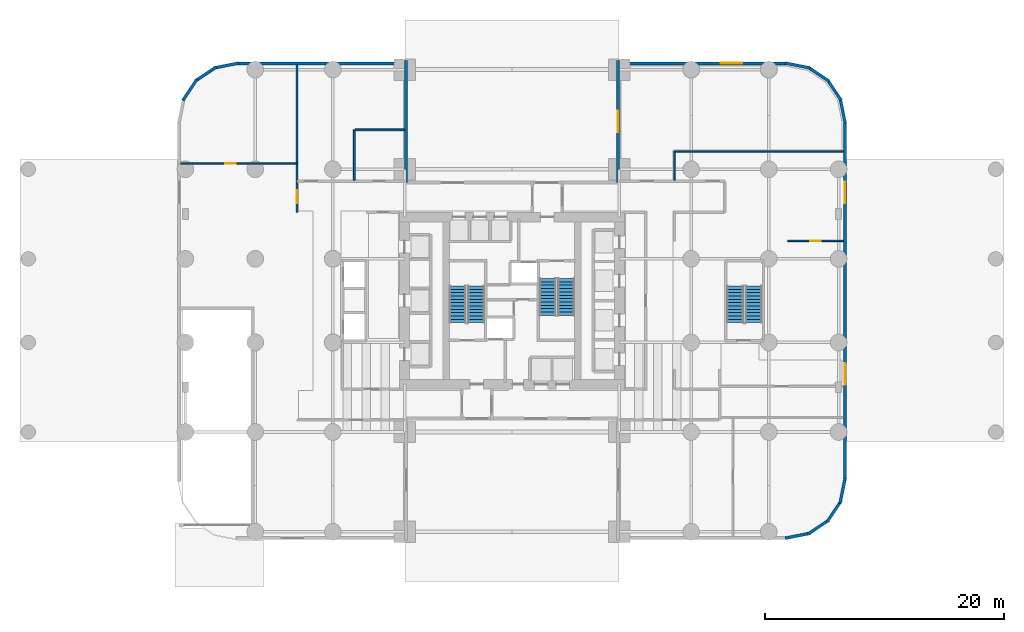
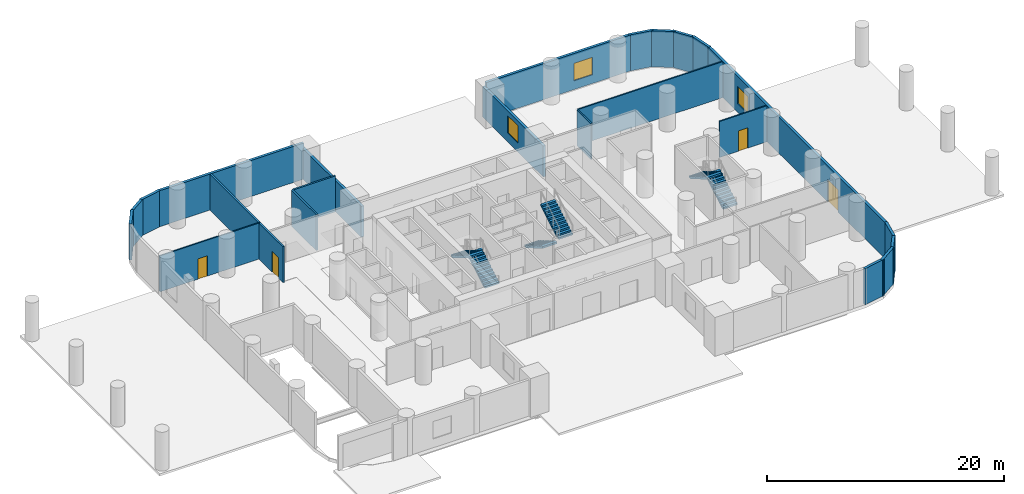
# One storey, part 6 of 10: 23 walls, 6 stair flights, 4 doors, 3 windows, 7 openings, 3 elements without a shape of their own.
"""IFC4 building model written with IfcOpenShell, lengths in metres."""

import ifcopenshell
import ifcopenshell.guid

model = None  # the IFC model being written
_history = None  # IfcOwnerHistory: only IFC2X3 demands one
_inside = {}  # id of a spatial element -> (the spatial element, [elements in it])
_under = {}  # id of a project, library or spatial element -> (it, [spatial elements below it])
_declared = {}  # id of a project -> (the project, [libraries it declares])
_typed = {}  # id of a type object -> (the type object, [elements of that type])
_made_of = {}  # id of a material, layer set ... -> (it, [elements and type objects made of it])


def new_model(schema):
    """Start an empty IFC model of exactly this schema.

    Asked for "IFC4X3", IfcOpenShell would pick the latest addendum, in which some entities
    have other attributes; the version numbers below select the first issue.
    IFC2X3 requires an IfcOwnerHistory on every rooted entity: one is made here for all.
    """
    global model, _history
    if schema == "IFC4X3":
        model = ifcopenshell.file(schema_version=(4, 3, 0, 0))
    else:
        model = ifcopenshell.file(schema=schema)
    _inside.clear()
    _under.clear()
    _declared.clear()
    _typed.clear()
    _made_of.clear()
    _history = None
    if model.schema == "IFC2X3":
        org = make("IfcOrganization", Name="unknown")
        user = make(
            "IfcPersonAndOrganization",
            ThePerson=make("IfcPerson", FamilyName="unknown"),
            TheOrganization=org,
        )
        app = make(
            "IfcApplication",
            ApplicationDeveloper=org,
            Version="unknown",
            ApplicationFullName="unknown",
            ApplicationIdentifier="unknown",
        )
        _history = make(
            "IfcOwnerHistory",
            OwningUser=user,
            OwningApplication=app,
            ChangeAction="ADDED",
            CreationDate=0,
        )
    return model


def make(cls, **values):
    """One entity of the class cls with the attributes given. An attribute that is None is left unset."""
    return model.create_entity(
        cls, **{name: value for name, value in values.items() if value is not None}
    )


def rooted(cls, **values):
    """An entity with a GlobalId (a new one), such as an element, a storey or a relation."""
    return make(cls, GlobalId=ifcopenshell.guid.new(), OwnerHistory=_history, **values)


def si_unit(unit_type, name, prefix=None):
    """IfcSIUnit, for example si_unit("LENGTHUNIT", "METRE", prefix="MILLI")."""
    return make("IfcSIUnit", UnitType=unit_type, Prefix=prefix, Name=name)


def assignment(units):
    """IfcUnitAssignment: the units of a project."""
    return None if units is None else make("IfcUnitAssignment", Units=units)


def point(xyz):
    """IfcCartesianPoint."""
    return None if xyz is None else make("IfcCartesianPoint", Coordinates=xyz)


def direction(xyz):
    """IfcDirection."""
    return None if xyz is None else make("IfcDirection", DirectionRatios=xyz)


def frame(location, z_axis=None, x_axis=None):
    """IfcAxis2Placement3D, a coordinate frame: its origin and axes. An axis left out is left unset."""
    return make(
        "IfcAxis2Placement3D",
        Location=point(location),
        Axis=direction(z_axis),
        RefDirection=direction(x_axis),
    )


def frame_2d(location, x_axis=None):
    """IfcAxis2Placement2D, a coordinate frame in the plane: its origin and x axis."""
    return make(
        "IfcAxis2Placement2D", Location=point(location), RefDirection=direction(x_axis)
    )


def origin():
    """The frame at (0, 0, 0) with its axes left unset."""
    return frame((0.0, 0.0, 0.0))


def place(relative_to, where):
    """IfcLocalPlacement: puts the frame where relative to a parent placement (None: the world)."""
    return make(
        "IfcLocalPlacement", PlacementRelTo=relative_to, RelativePlacement=where
    )


def context(
    kind, dimensions, precision=None, world=None, true_north=None, identifier=None
):
    """IfcGeometricRepresentationContext, for example the 3D "Model" context."""
    return make(
        "IfcGeometricRepresentationContext",
        ContextIdentifier=identifier,
        ContextType=kind,
        CoordinateSpaceDimension=dimensions,
        Precision=precision,
        WorldCoordinateSystem=world,
        TrueNorth=true_north,
    )


def subcontext(parent, identifier, kind, view, scale=None):
    """IfcGeometricRepresentationSubContext, for example "Body" below "Model"."""
    return make(
        "IfcGeometricRepresentationSubContext",
        ContextIdentifier=identifier,
        ContextType=kind,
        ParentContext=parent,
        TargetScale=scale,
        TargetView=view,
    )


def project(units=None, contexts=None):
    """IfcProject with its units and contexts."""
    return rooted(
        "IfcProject",
        Name="project",
        RepresentationContexts=contexts,
        UnitsInContext=assignment(units),
    )


def spatial(cls, under=None, at=None, **own):
    """A site, building, storey or space (cls), placed at a placement, below another one or the project."""
    s = rooted(cls, ObjectPlacement=at, **own)
    if under is not None:
        _under.setdefault(under.id(), (under, []))[1].append(s)
    return s


def polyline(points):
    """IfcPolyline through the points."""
    return make("IfcPolyline", Points=[point(p) for p in points])


def profile(cls, at=None, kind="AREA", **sizes):
    """A parametric profile (cls). Its sizes go by their IFC names, for example OverallWidth=200.0."""
    return make(cls, ProfileType=kind, Position=at, **sizes)


def rectangle(**sizes):
    """IfcRectangleProfileDef."""
    return profile("IfcRectangleProfileDef", **sizes)


def outline(outer, holes=None, kind="AREA"):
    """IfcArbitraryClosedProfileDef: a profile drawn as a closed curve; with holes, ...WithVoids."""
    if holes is None:
        return make("IfcArbitraryClosedProfileDef", ProfileType=kind, OuterCurve=outer)
    return make(
        "IfcArbitraryProfileDefWithVoids",
        ProfileType=kind,
        OuterCurve=outer,
        InnerCurves=holes,
    )


def extrude(swept, where, along, depth):
    """IfcExtrudedAreaSolid: the profile swept, set in the frame where, extruded along a direction by depth."""
    return make(
        "IfcExtrudedAreaSolid",
        SweptArea=swept,
        Position=where,
        ExtrudedDirection=direction(along),
        Depth=depth,
    )


def shape(context_of_items, identifier, shape_type, items):
    """IfcShapeRepresentation: the items that make up one representation, for example the "Body"."""
    return make(
        "IfcShapeRepresentation",
        ContextOfItems=context_of_items,
        RepresentationIdentifier=identifier,
        RepresentationType=shape_type,
        Items=items,
    )


def material(Name=None, Category=None):
    """IfcMaterial."""
    return make("IfcMaterial", Name=Name, Category=Category)


def layer(
    of_material, thickness, ventilated=None, Name=None, Category=None, Priority=None
):
    """IfcMaterialLayer: one layer of a wall or slab, of a material (None: an air gap)."""
    return make(
        "IfcMaterialLayer",
        Material=of_material,
        LayerThickness=thickness,
        IsVentilated=ventilated,
        Name=Name,
        Category=Category,
        Priority=Priority,
    )


def layer_set(layers, Name=None):
    """IfcMaterialLayerSet."""
    return make("IfcMaterialLayerSet", MaterialLayers=layers, LayerSetName=Name)


def made_of(thing, what):
    """Note that an element or type object is made of a material, layer set ...; save() writes the relation."""
    if what is not None:
        _made_of.setdefault(what.id(), (what, []))[1].append(thing)
    return thing


def type_object(cls, material=None, **own):
    """A type object (cls), such as IfcWallType, which elements share."""
    return made_of(rooted(cls, **own), material)


def element(
    cls,
    number,
    at=None,
    inside=None,
    cuts=None,
    type_object=None,
    material=None,
    context=None,
    identifier="Body",
    shape_type=None,
    held_by="IfcProductDefinitionShape",
    body=None,
    shapes=None,
    **own,
):
    """One element of the class cls, such as IfcWall. Its Tag is "e" and its number.

    at: its placement. inside: the storey or other place that contains it. cuts: it is an
    opening in that element (IfcRelVoidsElement). A single representation is given by context,
    identifier, shape_type and body (its items); several are given by shapes. held_by: the class
    of the entity that holds the representations. save() writes the other relations.
    """
    e = rooted(cls, Tag="e%d" % number, ObjectPlacement=at, **own)
    if body is not None:
        shapes = [shape(context, identifier, shape_type, body)]
    if shapes is not None:
        e.Representation = make(held_by, Representations=shapes)
    if inside is not None:
        _inside.setdefault(inside.id(), (inside, []))[1].append(e)
    if cuts is not None:
        rooted(
            "IfcRelVoidsElement", RelatingBuildingElement=cuts, RelatedOpeningElement=e
        )
    if type_object is not None:
        _typed.setdefault(type_object.id(), (type_object, []))[1].append(e)
    return made_of(e, material)


def fill(opening, filler):
    """IfcRelFillsElement: the door or window that sits in an opening."""
    return rooted(
        "IfcRelFillsElement",
        RelatingOpeningElement=opening,
        RelatedBuildingElement=filler,
    )


def aggregate(whole, parts):
    """IfcRelAggregates: a whole, such as a stair, and the parts it consists of."""
    return rooted("IfcRelAggregates", RelatingObject=whole, RelatedObjects=parts)


def save(model, path):
    """Write the relations noted so far, then the file.

    IfcRelAggregates (storeys below a building ...), IfcRelContainedInSpatialStructure (elements
    in a storey), IfcRelDefinesByType, IfcRelAssociatesMaterial and IfcRelDeclares: one each for
    every whole, place, type object, material and project.
    """
    for whole, parts in _under.values():
        aggregate(whole, parts)
    for where, things in _inside.values():
        rooted(
            "IfcRelContainedInSpatialStructure",
            RelatedElements=things,
            RelatingStructure=where,
        )
    for kind, things in _typed.values():
        rooted("IfcRelDefinesByType", RelatedObjects=things, RelatingType=kind)
    for what, things in _made_of.values():
        rooted("IfcRelAssociatesMaterial", RelatedObjects=things, RelatingMaterial=what)
    for by, libraries in _declared.values():
        rooted("IfcRelDeclares", RelatingContext=by, RelatedDefinitions=libraries)
    model.write(path)


model = new_model("IFC4")

# Units and contexts
model_context = context("Model", 3, precision=1e-05, world=origin(), true_north=direction((0.0, 1.0)))
body_context = subcontext(model_context, "Body", "Model", "MODEL_VIEW")
ifc_project = project(units=[si_unit("LENGTHUNIT", "METRE"), si_unit("AREAUNIT", "SQUARE_METRE"), si_unit("VOLUMEUNIT", "CUBIC_METRE"), si_unit("PLANEANGLEUNIT", "RADIAN"), si_unit("MASSUNIT", "GRAM", prefix="KILO")], contexts=[model_context])

# Site, building, storey
site_placement = place(None, origin())
site = spatial("IfcSite", under=ifc_project, at=site_placement, CompositionType="ELEMENT")
building_placement = place(site_placement, origin())
building = spatial("IfcBuilding", under=site, at=building_placement, Name="Veldorim Arch Residences", CompositionType="ELEMENT")
storey_placement = place(building_placement, origin())
storey = spatial("IfcBuildingStorey", under=building, at=storey_placement, Name="L00", CompositionType="ELEMENT", Elevation=0.0)

# Wall, opening, door
ifc_material_1 = material(Name="Acoustic Gypsum Board", Category="gypsum")
ifc_layer_1 = layer(ifc_material_1, 0.125, Name="Acoustic Stud Room Partition Wall 125")
ifc_layer_set_1 = layer_set([ifc_layer_1], Name="Acoustic Gypsum Board")
wall_type_1 = type_object("IfcWallType", Name="Acoustic Stud Room Partition Wall 125", PredefinedType="PARTITIONING", material=ifc_layer_set_1)
wall_1_placement = place(storey_placement, frame((4.25, 35.5, 0.0), z_axis=(0.0, 0.0, 1.0), x_axis=(1.0, 0.0, 0.0)))
wall_1 = element("IfcWall", 1, at=wall_1_placement, inside=storey, type_object=wall_type_1, Name="L00 interior wall WL-POD-L00-025", PredefinedType="PARTITIONING", context=body_context, shape_type="SweptSolid", body=[
    extrude(rectangle(XDim=9.75, YDim=0.125, at=frame_2d((4.875, 0.0))), origin(), (0.0, 0.0, 1.0), 3.715087890625),
])
opening_1_placement = place(wall_1_placement, frame((3.72509765625, 0.0, 0.0)))
opening_1 = element("IfcOpeningElement", 2, at=opening_1_placement, cuts=wall_1, Name="Opening DR-SVC", PredefinedType="OPENING", context=body_context, shape_type="SweptSolid", body=[
    extrude(rectangle(XDim=0.89990234375, YDim=2.10009765625, at=frame_2d((0.449951171875, 1.050048828125))), frame((0.0, 0.072509765625, 0.0), z_axis=(0.0, -1.0, 0.0), x_axis=(1.0, 0.0, 0.0)), (0.0, 0.0, 1.0), 0.14501953125),
])
ifc_material_2 = material(Name="Fire-Rated Steel", Category="steel")
door_type_1 = type_object("IfcDoorType", Name="Riser, Shelter & Plant Room Rated Steel Door 900x2100", OperationType="SINGLE_SWING_LEFT", PredefinedType="DOOR", material=ifc_material_2)
door_1_placement = place(opening_1_placement, origin())
door_1 = element("IfcDoor", 3, at=door_1_placement, inside=storey, type_object=door_type_1, Name="L00 interior door DR-POD-L00-005", OperationType="SINGLE_SWING_LEFT", OverallHeight=2.10009765625, OverallWidth=0.89990234375, PredefinedType="DOOR", context=body_context, shape_type="SweptSolid", body=[
    extrude(rectangle(XDim=0.89990234375, YDim=2.10009765625, at=frame_2d((0.449951171875, 1.050048828125))), frame((0.0, 0.02490234375, 0.0), z_axis=(0.0, -1.0, 0.0), x_axis=(1.0, 0.0, 0.0)), (0.0, 0.0, 1.0), 0.050048828125),
])
fill(opening_1, door_1)

wall_2_placement = place(storey_placement, frame((55.10009765625, 29.0, 0.0), z_axis=(0.0, 0.0, 1.0), x_axis=(1.0, 0.0, 0.0)))
wall_2 = element("IfcWall", 4, at=wall_2_placement, inside=storey, type_object=wall_type_1, Name="L00 interior wall WL-POD-L00-030", PredefinedType="PARTITIONING", context=body_context, shape_type="SweptSolid", body=[
    extrude(rectangle(XDim=4.64990234375, YDim=0.125, at=frame_2d((2.324951171875, 0.0))), origin(), (0.0, 0.0, 1.0), 3.715087890625),
])
opening_2_placement = place(wall_2_placement, frame((1.875, 0.0, 0.0)))
opening_2 = element("IfcOpeningElement", 5, at=opening_2_placement, cuts=wall_2, Name="Opening DR-SVC", PredefinedType="OPENING", context=body_context, shape_type="SweptSolid", body=[
    extrude(rectangle(XDim=0.89990234375, YDim=2.10009765625, at=frame_2d((0.449951171875, 1.050048828125))), frame((0.0, 0.072509765625, 0.0), z_axis=(0.0, -1.0, 0.0), x_axis=(1.0, 0.0, 0.0)), (0.0, 0.0, 1.0), 0.14501953125),
])
door_2_placement = place(opening_2_placement, origin())
door_2 = element("IfcDoor", 6, at=door_2_placement, inside=storey, type_object=door_type_1, Name="L00 interior door DR-POD-L00-012", OperationType="SINGLE_SWING_RIGHT", OverallHeight=2.10009765625, OverallWidth=0.89990234375, PredefinedType="DOOR", context=body_context, shape_type="SweptSolid", body=[
    extrude(rectangle(XDim=0.89990234375, YDim=2.10009765625, at=frame_2d((0.449951171875, 1.050048828125))), frame((0.0, 0.02490234375, 0.0), z_axis=(0.0, -1.0, 0.0), x_axis=(1.0, 0.0, 0.0)), (0.0, 0.0, 1.0), 0.050048828125),
])
fill(opening_2, door_2)

# Walls
wall_3_placement = place(storey_placement, frame((45.60009765625, 34.10009765625, 0.0), z_axis=(0.0, 0.0, 1.0), x_axis=(0.0, 1.0, 0.0)))
element("IfcWall", 7, at=wall_3_placement, inside=storey, type_object=wall_type_1, Name="L00 interior wall WL-POD-L00-031", PredefinedType="PARTITIONING", context=body_context, shape_type="SweptSolid", body=[
    extrude(rectangle(XDim=2.39990234375, YDim=0.125, at=frame_2d((1.199951171875, 0.0))), origin(), (0.0, 0.0, 1.0), 3.715087890625),
])
wall_4_placement = place(storey_placement, frame((45.659912109375, 36.5, 0.0), z_axis=(0.0, 0.0, 1.0), x_axis=(1.0, 0.0, 0.0)))
element("IfcWall", 8, at=wall_4_placement, inside=storey, type_object=wall_type_1, Name="L00 interior wall WL-POD-L00-032", PredefinedType="PARTITIONING", context=body_context, shape_type="SweptSolid", body=[
    extrude(rectangle(XDim=14.090087890625, YDim=0.125, at=frame_2d((7.044921875, 0.0))), origin(), (0.0, 0.0, 1.0), 3.715087890625),
])

# Wall, opening, door
ifc_material_3 = material(Name="Lightweight Masonry Block & Gypsum", Category="masonry")
ifc_layer_2 = layer(ifc_material_3, 0.179931640625, Name="Compartment & Corridor Fire-Rated Party Wall 180")
ifc_layer_set_2 = layer_set([ifc_layer_2], Name="Lightweight Masonry Block & Gypsum")
wall_type_2 = type_object("IfcWallType", Name="Compartment & Corridor Fire-Rated Party Wall 180", PredefinedType="PARTITIONING", material=ifc_layer_set_2)
wall_5_placement = place(storey_placement, frame((14.0, 31.39990234375, 0.0), z_axis=(0.0, 0.0, 1.0), x_axis=(0.0, 1.0, 0.0)))
wall_5 = element("IfcWall", 9, at=wall_5_placement, inside=storey, type_object=wall_type_2, Name="L00 interior wall WL-POD-L00-023", PredefinedType="PARTITIONING", context=body_context, shape_type="SweptSolid", body=[
    extrude(rectangle(XDim=12.35009765625, YDim=0.179931640625, at=frame_2d((6.175048828125, 0.0))), origin(), (0.0, 0.0, 1.0), 3.715087890625),
])
opening_3_placement = place(wall_5_placement, frame((0.77490234375, 0.0, 0.0)))
opening_3 = element("IfcOpeningElement", 10, at=opening_3_placement, cuts=wall_5, Name="Opening DR-CLN", PredefinedType="OPENING", context=body_context, shape_type="SweptSolid", body=[
    extrude(rectangle(XDim=1.050048828125, YDim=2.14990234375, at=frame_2d((0.52490234375, 1.074951171875))), frame((0.0, 0.099853515625, 0.0), z_axis=(0.0, -1.0, 0.0), x_axis=(1.0, 0.0, 0.0)), (0.0, 0.0, 1.0), 0.199951171875),
])
ifc_material_4 = material(Name="Timber & Vision Panel", Category="wood")
door_type_2 = type_object("IfcDoorType", Name="Polyclinic Wheelchair-Accessible Consultation Door 1050x2150", OperationType="SINGLE_SWING_LEFT", PredefinedType="DOOR", material=ifc_material_4)
door_3_placement = place(opening_3_placement, origin())
door_3 = element("IfcDoor", 11, at=door_3_placement, inside=storey, type_object=door_type_2, Name="L00 interior door DR-POD-L00-004", OperationType="SINGLE_SWING_RIGHT", OverallHeight=2.14990234375, OverallWidth=1.050048828125, PredefinedType="DOOR", context=body_context, shape_type="SweptSolid", body=[
    extrude(rectangle(XDim=1.050048828125, YDim=2.14990234375, at=frame_2d((0.52490234375, 1.074951171875))), frame((0.0, 0.02490234375, 0.0), z_axis=(0.0, -1.0, 0.0), x_axis=(1.0, 0.0, 0.0)), (0.0, 0.0, 1.0), 0.050048828125),
])
fill(opening_3, door_3)

# Walls
ifc_material_5 = material(Name="Precast concrete C40/50", Category="concrete")
ifc_layer_3 = layer(ifc_material_5, 0.25, Name="Podium Terracotta Insulated Facade Wall 250")
ifc_layer_set_3 = layer_set([ifc_layer_3], Name="Precast concrete C40/50")
wall_type_3 = type_object("IfcWallType", Name="Podium Terracotta Insulated Facade Wall 250", PredefinedType="SOLIDWALL", material=ifc_layer_set_3)
wall_6_placement = place(storey_placement, frame((54.87744140625, 43.89697265625, 0.0), z_axis=(0.0, 0.0, 1.0), x_axis=(0.980780974951, -0.195111965738, 0.0)))
element("IfcWall", 12, at=wall_6_placement, inside=storey, type_object=wall_type_3, Name="L00 podium terracotta facade wall 00", PredefinedType="SOLIDWALL", context=body_context, shape_type="SweptSolid", body=[
    extrude(rectangle(XDim=2.15087890625, YDim=0.25, at=frame_2d((1.075439453125, 0.0))), origin(), (0.0, 0.0, 1.0), 3.719970703125),
])
for number, where, z_axis, x_axis, name in (
    (13, (56.7607421875, 43.571044921875, 0.0), (0.0, 0.0, 1.0), (0.831473633615, -0.555564214653, 0.0), "L00 podium terracotta facade wall 01"),
    (14, (58.3759765625, 42.54931640625, 0.0), (0.0, 0.0, 1.0), (0.555564214653, -0.831473633615, 0.0), "L00 podium terracotta facade wall 02"),
):
    element("IfcWall", number, at=place(storey_placement, frame(where, z_axis=z_axis, x_axis=x_axis)), inside=storey, type_object=wall_type_3, Name=name, PredefinedType="SOLIDWALL", context=body_context, shape_type="SweptSolid", body=[
        extrude(rectangle(XDim=2.151123046875, YDim=0.25, at=frame_2d((1.07568359375, 0.0))), origin(), (0.0, 0.0, 1.0), 3.719970703125),
    ])
wall_7_placement = place(storey_placement, frame((59.477294921875, 40.987060546875, 0.0), z_axis=(0.0, 0.0, 1.0), x_axis=(0.195111965738, -0.980780974951, 0.0)))
element("IfcWall", 15, at=wall_7_placement, inside=storey, type_object=wall_type_3, Name="L00 podium terracotta facade wall 03", PredefinedType="SOLIDWALL", context=body_context, shape_type="SweptSolid", body=[
    extrude(rectangle(XDim=2.15087890625, YDim=0.25, at=frame_2d((1.075439453125, 0.0))), origin(), (0.0, 0.0, 1.0), 3.719970703125),
])

# Wall, openings, door, window
wall_8_placement = place(storey_placement, frame((59.875, 39.10009765625, 0.0), z_axis=(0.0, 0.0, 1.0), x_axis=(0.0, -1.0, 0.0)))
wall_8 = element("IfcWall", 16, at=wall_8_placement, inside=storey, type_object=wall_type_3, Name="L00 podium terracotta facade wall 04", PredefinedType="SOLIDWALL", context=body_context, shape_type="SweptSolid", body=[
    extrude(rectangle(XDim=30.2001953125, YDim=0.25, at=frame_2d((15.10009765625, 0.0))), origin(), (0.0, 0.0, 1.0), 3.719970703125),
])
opening_4_placement = place(wall_8_placement, frame((20.35009765625, 0.0, 0.0)))
opening_4 = element("IfcOpeningElement", 17, at=opening_4_placement, cuts=wall_8, Name="Opening EX-06", PredefinedType="OPENING", context=body_context, shape_type="SweptSolid", body=[
    extrude(rectangle(XDim=1.800048828125, YDim=2.300048828125, at=frame_2d((0.89990234375, 1.14990234375))), frame((0.0, 0.135009765625, 0.0), z_axis=(0.0, -1.0, 0.0), x_axis=(1.0, 0.0, 0.0)), (0.0, 0.0, 1.0), 0.27001953125),
])
opening_5_placement = place(wall_8_placement, frame((5.139892578125, 0.0, 0.89990234375)))
opening_5 = element("IfcOpeningElement", 18, at=opening_5_placement, cuts=wall_8, Name="Opening WN-01", PredefinedType="OPENING", context=body_context, shape_type="SweptSolid", body=[
    extrude(rectangle(XDim=1.800048828125, YDim=1.800048828125, at=frame_2d((0.89990234375, 0.89990234375))), frame((0.0, 0.135009765625, 0.0), z_axis=(0.0, -1.0, 0.0), x_axis=(1.0, 0.0, 0.0)), (0.0, 0.0, 1.0), 0.27001953125),
])
ifc_material_6 = material(Name="Aluminium & Toughened Glass", Category="aluminium")
door_type_3 = type_object("IfcDoorType", Name="Ground Outward Double Exit Door 1800x2300", OperationType="SINGLE_SWING_LEFT", PredefinedType="DOOR", material=ifc_material_6)
door_4_placement = place(opening_4_placement, origin())
door_4 = element("IfcDoor", 19, at=door_4_placement, inside=storey, type_object=door_type_3, Name="Ground east stair discharge exit door EX-06", OperationType="DOUBLE_DOOR_SINGLE_SWING", OverallHeight=2.300048828125, OverallWidth=1.800048828125, PredefinedType="DOOR", context=body_context, shape_type="SweptSolid", body=[
    extrude(rectangle(XDim=1.800048828125, YDim=2.300048828125, at=frame_2d((0.89990234375, 1.14990234375))), frame((0.0, 0.02490234375, 0.0), z_axis=(0.0, -1.0, 0.0), x_axis=(1.0, 0.0, 0.0)), (0.0, 0.0, 1.0), 0.050048828125),
])
fill(opening_4, door_4)
ifc_material_7 = material(Name="Laminated Low-E Glass", Category="glass")
window_type = type_object("IfcWindowType", Name="Polyclinic Double-Glazed Window 1800x1800", PartitioningType="SINGLE_PANEL", PredefinedType="WINDOW", material=ifc_material_7)
window_1_placement = place(opening_5_placement, origin())
window_1 = element("IfcWindow", 20, at=window_1_placement, inside=storey, type_object=window_type, Name="L00 outpatient clinic window 04-1", OverallHeight=1.800048828125, OverallWidth=1.800048828125, PartitioningType="SINGLE_PANEL", PredefinedType="WINDOW", context=body_context, shape_type="SweptSolid", body=[
    extrude(rectangle(XDim=1.800048828125, YDim=1.800048828125, at=frame_2d((0.89990234375, 0.89990234375))), frame((0.0, 0.030029296875, 0.0), z_axis=(0.0, -1.0, 0.0), x_axis=(1.0, 0.0, 0.0)), (0.0, 0.0, 1.0), 0.06005859375),
])
fill(opening_5, window_1)

# Walls
wall_9_placement = place(storey_placement, frame((59.89697265625, 9.12255859375, 0.0), z_axis=(0.0, 0.0, 1.0), x_axis=(-0.195111965738, -0.980780974951, 0.0)))
element("IfcWall", 21, at=wall_9_placement, inside=storey, type_object=wall_type_3, Name="L00 podium terracotta facade wall 05", PredefinedType="SOLIDWALL", context=body_context, shape_type="SweptSolid", body=[
    extrude(rectangle(XDim=2.15087890625, YDim=0.25, at=frame_2d((1.075439453125, 0.0))), origin(), (0.0, 0.0, 1.0), 3.719970703125),
])
for number, where, z_axis, x_axis, name in (
    (22, (59.571044921875, 7.2392578125, 0.0), (0.0, 0.0, 1.0), (-0.555564214653, -0.831473633615, 0.0), "L00 podium terracotta facade wall 06"),
    (23, (58.54931640625, 5.6240234375, 0.0), (0.0, 0.0, 1.0), (-0.831473633615, -0.555564214653, 0.0), "L00 podium terracotta facade wall 07"),
):
    element("IfcWall", number, at=place(storey_placement, frame(where, z_axis=z_axis, x_axis=x_axis)), inside=storey, type_object=wall_type_3, Name=name, PredefinedType="SOLIDWALL", context=body_context, shape_type="SweptSolid", body=[
        extrude(rectangle(XDim=2.151123046875, YDim=0.25, at=frame_2d((1.07568359375, 0.0))), origin(), (0.0, 0.0, 1.0), 3.719970703125),
    ])
wall_10_placement = place(storey_placement, frame((56.987060546875, 4.522705078125, 0.0), z_axis=(0.0, 0.0, 1.0), x_axis=(-0.980780974951, -0.195111965738, 0.0)))
element("IfcWall", 24, at=wall_10_placement, inside=storey, type_object=wall_type_3, Name="L00 podium terracotta facade wall 08", PredefinedType="SOLIDWALL", context=body_context, shape_type="SweptSolid", body=[
    extrude(rectangle(XDim=2.15087890625, YDim=0.25, at=frame_2d((1.075439453125, 0.0))), origin(), (0.0, 0.0, 1.0), 3.719970703125),
])
for number, where, z_axis, x_axis, name in (
    (25, (4.428955078125, 40.7607421875, 0.0), (0.0, 0.0, 1.0), (0.555564214653, 0.831473633615, 0.0), "L00 podium terracotta facade wall 20"),
    (26, (5.45068359375, 42.3759765625, 0.0), (0.0, 0.0, 1.0), (0.831473633615, 0.555564214653, 0.0), "L00 podium terracotta facade wall 21"),
):
    element("IfcWall", number, at=place(storey_placement, frame(where, z_axis=z_axis, x_axis=x_axis)), inside=storey, type_object=wall_type_3, Name=name, PredefinedType="SOLIDWALL", context=body_context, shape_type="SweptSolid", body=[
        extrude(rectangle(XDim=2.151123046875, YDim=0.25, at=frame_2d((1.07568359375, 0.0))), origin(), (0.0, 0.0, 1.0), 3.719970703125),
    ])
wall_11_placement = place(storey_placement, frame((7.012939453125, 43.477294921875, 0.0), z_axis=(0.0, 0.0, 1.0), x_axis=(0.980780974951, 0.195111965738, 0.0)))
element("IfcWall", 27, at=wall_11_placement, inside=storey, type_object=wall_type_3, Name="L00 podium terracotta facade wall 22", PredefinedType="SOLIDWALL", context=body_context, shape_type="SweptSolid", body=[
    extrude(rectangle(XDim=2.15087890625, YDim=0.25, at=frame_2d((1.075439453125, 0.0))), origin(), (0.0, 0.0, 1.0), 3.719970703125),
])
wall_12_placement = place(storey_placement, frame((8.89990234375, 43.875, 0.0), z_axis=(0.0, 0.0, 1.0), x_axis=(1.0, 0.0, 0.0)))
element("IfcWall", 28, at=wall_12_placement, inside=storey, type_object=wall_type_3, Name="L00 podium terracotta facade wall 23", PredefinedType="SOLIDWALL", context=body_context, shape_type="SweptSolid", body=[
    extrude(rectangle(XDim=14.2001953125, YDim=0.25, at=frame_2d((7.10009765625, 0.0))), origin(), (0.0, 0.0, 1.0), 3.719970703125),
])
wall_13_placement = place(storey_placement, frame((23.125, 33.89990234375, 0.0), z_axis=(0.0, 0.0, 1.0), x_axis=(0.0, 1.0, 0.0)))
element("IfcWall", 29, at=wall_13_placement, inside=storey, type_object=wall_type_3, Name="L00 podium terracotta facade wall 24", PredefinedType="SOLIDWALL", context=body_context, shape_type="SweptSolid", body=[
    extrude(rectangle(XDim=10.2001953125, YDim=0.25, at=frame_2d((5.10009765625, 0.0))), origin(), (0.0, 0.0, 1.0), 3.178466796875),
])

# Wall, opening, window
wall_14_placement = place(storey_placement, frame((40.875, 44.10009765625, 0.0), z_axis=(0.0, 0.0, 1.0), x_axis=(0.0, -1.0, 0.0)))
wall_14 = element("IfcWall", 30, at=wall_14_placement, inside=storey, type_object=wall_type_3, Name="L00 podium terracotta facade wall 26", PredefinedType="SOLIDWALL", context=body_context, shape_type="SweptSolid", body=[
    extrude(rectangle(XDim=10.2001953125, YDim=0.25, at=frame_2d((5.10009765625, 0.0))), origin(), (0.0, 0.0, 1.0), 3.178466796875),
])
opening_6_placement = place(wall_14_placement, frame((4.199951171875, 0.0, 0.89990234375)))
opening_6 = element("IfcOpeningElement", 31, at=opening_6_placement, cuts=wall_14, Name="Opening WN-01", PredefinedType="OPENING", context=body_context, shape_type="SweptSolid", body=[
    extrude(rectangle(XDim=1.800048828125, YDim=1.800048828125, at=frame_2d((0.89990234375, 0.89990234375))), frame((0.0, 0.135009765625, 0.0), z_axis=(0.0, -1.0, 0.0), x_axis=(1.0, 0.0, 0.0)), (0.0, 0.0, 1.0), 0.27001953125),
])
window_2_placement = place(opening_6_placement, origin())
window_2 = element("IfcWindow", 32, at=window_2_placement, inside=storey, type_object=window_type, Name="L00 outpatient clinic window 26-1", OverallHeight=1.800048828125, OverallWidth=1.800048828125, PartitioningType="SINGLE_PANEL", PredefinedType="WINDOW", context=body_context, shape_type="SweptSolid", body=[
    extrude(rectangle(XDim=1.800048828125, YDim=1.800048828125, at=frame_2d((0.89990234375, 0.89990234375))), frame((0.0, 0.030029296875, 0.0), z_axis=(0.0, -1.0, 0.0), x_axis=(1.0, 0.0, 0.0)), (0.0, 0.0, 1.0), 0.06005859375),
])
fill(opening_6, window_2)

wall_15_placement = place(storey_placement, frame((40.89990234375, 43.875, 0.0), z_axis=(0.0, 0.0, 1.0), x_axis=(1.0, 0.0, 0.0)))
wall_15 = element("IfcWall", 33, at=wall_15_placement, inside=storey, type_object=wall_type_3, Name="L00 podium terracotta facade wall 27", PredefinedType="SOLIDWALL", context=body_context, shape_type="SweptSolid", body=[
    extrude(rectangle(XDim=14.2001953125, YDim=0.25, at=frame_2d((7.10009765625, 0.0))), origin(), (0.0, 0.0, 1.0), 3.719970703125),
])
opening_7_placement = place(wall_15_placement, frame((8.56689453125, 0.0, 0.89990234375)))
opening_7 = element("IfcOpeningElement", 34, at=opening_7_placement, cuts=wall_15, Name="Opening WN-01", PredefinedType="OPENING", context=body_context, shape_type="SweptSolid", body=[
    extrude(rectangle(XDim=1.800048828125, YDim=1.800048828125, at=frame_2d((0.89990234375, 0.89990234375))), frame((0.0, 0.135009765625, 0.0), z_axis=(0.0, -1.0, 0.0), x_axis=(1.0, 0.0, 0.0)), (0.0, 0.0, 1.0), 0.27001953125),
])
window_3_placement = place(opening_7_placement, origin())
window_3 = element("IfcWindow", 35, at=window_3_placement, inside=storey, type_object=window_type, Name="L00 outpatient clinic window 27-2", OverallHeight=1.800048828125, OverallWidth=1.800048828125, PartitioningType="SINGLE_PANEL", PredefinedType="WINDOW", context=body_context, shape_type="SweptSolid", body=[
    extrude(rectangle(XDim=1.800048828125, YDim=1.800048828125, at=frame_2d((0.89990234375, 0.89990234375))), frame((0.0, 0.030029296875, 0.0), z_axis=(0.0, -1.0, 0.0), x_axis=(1.0, 0.0, 0.0)), (0.0, 0.0, 1.0), 0.06005859375),
])
fill(opening_7, window_3)

# Walls
ifc_material_8 = material(Name="Moisture-Resistant Gypsum & Stud", Category="gypsum")
ifc_layer_4 = layer(ifc_material_8, 0.159912109375, Name="Wet-Area Moisture-Resistant Plumbing Wall 160")
ifc_layer_set_4 = layer_set([ifc_layer_4], Name="Moisture-Resistant Gypsum & Stud")
wall_type_4 = type_object("IfcWallType", Name="Wet-Area Moisture-Resistant Plumbing Wall 160", PredefinedType="PLUMBINGWALL", material=ifc_layer_set_4)
wall_16_placement = place(storey_placement, frame((18.800048828125, 34.10009765625, 0.0), z_axis=(0.0, 0.0, 1.0), x_axis=(0.0, 1.0, 0.0)))
element("IfcWall", 36, at=wall_16_placement, inside=storey, type_object=wall_type_4, Name="L00 interior wall WL-POD-L00-026", PredefinedType="PLUMBINGWALL", context=body_context, shape_type="SweptSolid", body=[
    extrude(rectangle(XDim=4.199951171875, YDim=0.159912109375, at=frame_2d((2.10009765625, 0.0))), origin(), (0.0, 0.0, 1.0), 3.715087890625),
])
wall_17_placement = place(storey_placement, frame((18.860107421875, 38.300048828125, 0.0), z_axis=(0.0, 0.0, 1.0), x_axis=(1.0, 0.0, 0.0)))
element("IfcWall", 37, at=wall_17_placement, inside=storey, type_object=wall_type_4, Name="L00 interior wall WL-POD-L00-027", PredefinedType="PLUMBINGWALL", context=body_context, shape_type="SweptSolid", body=[
    extrude(rectangle(XDim=4.139892578125, YDim=0.159912109375, at=frame_2d((2.06982421875, 0.0))), origin(), (0.0, 0.0, 1.0), 3.715087890625),
])

# Stair, stair flights
ifc_material_9 = material(Name="Concrete C40/50", Category="concrete")
stair_type = type_object("IfcStairType", Name="Reinforced Concrete Dogleg Exit Staircase", PredefinedType="HALF_TURN_STAIR", material=ifc_material_9)
stair_1_placement = place(storey_placement, origin())
stair_1 = element("IfcStair", 38, at=stair_1_placement, inside=storey, type_object=stair_type, Name="L00 Exit Staircase ST-1", PredefinedType="HALF_TURN_STAIR")
ifc_material_10 = material(Name="Concrete C40/50", Category="concrete")
stair_flight_type = type_object("IfcStairFlightType", Name="Reinforced Concrete Stair Flight 1400", PredefinedType="STRAIGHT", material=ifc_material_10)
stair_flight_1_placement = place(storey_placement, frame((29.010009765625, 22.14990234375, 0.0), z_axis=(0.0, 0.0, 1.0), x_axis=(0.0, 1.0, 0.0)))
stair_flight_1 = element("IfcStairFlight", 39, at=stair_flight_1_placement, type_object=stair_flight_type, Name="ST-1 flight 1", NumberOfRisers=12, NumberOfTreads=11, PredefinedType="STRAIGHT", RiserHeight=0.166666667, TreadLength=0.28, context=body_context, shape_type="SweptSolid", body=[
    extrude(outline(polyline([(0.0, 0.0), (0.0, 0.166748046875), (0.280029296875, 0.166748046875), (0.280029296875, 0.333251953125), (0.56005859375, 0.333251953125), (0.56005859375, 0.5), (0.840087890625, 0.5), (0.840087890625, 0.666748046875), (1.1201171875, 0.666748046875), (1.1201171875, 0.833251953125), (1.39990234375, 0.833251953125), (1.39990234375, 1.0), (1.679931640625, 1.0), (1.679931640625, 1.166748046875), (1.9599609375, 1.166748046875), (1.9599609375, 1.333251953125), (2.239990234375, 1.333251953125), (2.239990234375, 1.5), (2.52001953125, 1.5), (2.52001953125, 1.666748046875), (2.800048828125, 1.666748046875), (2.800048828125, 1.833251953125), (3.080078125, 1.833251953125), (3.080078125, 2.0), (3.080078125, 1.647216796875), (0.312744140625, 0.0), (0.0, 0.0)])), frame((0.0, 0.699951171875, 0.0), z_axis=(0.0, -1.0, 0.0), x_axis=(1.0, 0.0, 0.0)), (0.0, 0.0, 1.0), 1.39990234375),
])
stair_flight_2_placement = place(storey_placement, frame((27.449951171875, 25.22998046875, 2.0), z_axis=(0.0, 0.0, 1.0), x_axis=(0.0, -1.0, 0.0)))
stair_flight_2 = element("IfcStairFlight", 40, at=stair_flight_2_placement, type_object=stair_flight_type, Name="ST-1 flight 2", NumberOfRisers=12, NumberOfTreads=11, PredefinedType="STRAIGHT", RiserHeight=0.166666667, TreadLength=0.28, context=body_context, shape_type="SweptSolid", body=[
    extrude(outline(polyline([(0.0, 0.0), (0.0, 0.166748046875), (0.280029296875, 0.166748046875), (0.280029296875, 0.333251953125), (0.56005859375, 0.333251953125), (0.56005859375, 0.5), (0.840087890625, 0.5), (0.840087890625, 0.666748046875), (1.1201171875, 0.666748046875), (1.1201171875, 0.833251953125), (1.39990234375, 0.833251953125), (1.39990234375, 1.0), (1.679931640625, 1.0), (1.679931640625, 1.166748046875), (1.9599609375, 1.166748046875), (1.9599609375, 1.333251953125), (2.239990234375, 1.333251953125), (2.239990234375, 1.5), (2.52001953125, 1.5), (2.52001953125, 1.666748046875), (2.800048828125, 1.666748046875), (2.800048828125, 1.833251953125), (3.080078125, 1.833251953125), (3.080078125, 2.0), (3.080078125, 1.647216796875), (0.312744140625, 0.0), (0.0, 0.0)])), frame((0.0, 0.699951171875, 0.0), z_axis=(0.0, -1.0, 0.0), x_axis=(1.0, 0.0, 0.0)), (0.0, 0.0, 1.0), 1.39990234375),
])
aggregate(stair_1, [stair_flight_1, stair_flight_2])

stair_2_placement = place(storey_placement, origin())
stair_2 = element("IfcStair", 41, at=stair_2_placement, inside=storey, type_object=stair_type, Name="L00 Exit Staircase ST-2", PredefinedType="HALF_TURN_STAIR")
stair_flight_3_placement = place(storey_placement, frame((34.989990234375, 25.85009765625, 0.0), z_axis=(0.0, 0.0, 1.0), x_axis=(0.0, -1.0, 0.0)))
stair_flight_3 = element("IfcStairFlight", 42, at=stair_flight_3_placement, type_object=stair_flight_type, Name="ST-2 flight 1", NumberOfRisers=12, NumberOfTreads=11, PredefinedType="STRAIGHT", RiserHeight=0.166666667, TreadLength=0.28, context=body_context, shape_type="SweptSolid", body=[
    extrude(outline(polyline([(0.0, 0.0), (0.0, 0.166748046875), (0.280029296875, 0.166748046875), (0.280029296875, 0.333251953125), (0.56005859375, 0.333251953125), (0.56005859375, 0.5), (0.840087890625, 0.5), (0.840087890625, 0.666748046875), (1.1201171875, 0.666748046875), (1.1201171875, 0.833251953125), (1.39990234375, 0.833251953125), (1.39990234375, 1.0), (1.679931640625, 1.0), (1.679931640625, 1.166748046875), (1.9599609375, 1.166748046875), (1.9599609375, 1.333251953125), (2.239990234375, 1.333251953125), (2.239990234375, 1.5), (2.52001953125, 1.5), (2.52001953125, 1.666748046875), (2.800048828125, 1.666748046875), (2.800048828125, 1.833251953125), (3.080078125, 1.833251953125), (3.080078125, 2.0), (3.080078125, 1.647216796875), (0.312744140625, 0.0), (0.0, 0.0)])), frame((0.0, 0.699951171875, 0.0), z_axis=(0.0, -1.0, 0.0), x_axis=(1.0, 0.0, 0.0)), (0.0, 0.0, 1.0), 1.39990234375),
])
stair_flight_4_placement = place(storey_placement, frame((36.550048828125, 22.77001953125, 2.0), z_axis=(0.0, 0.0, 1.0), x_axis=(0.0, 1.0, 0.0)))
stair_flight_4 = element("IfcStairFlight", 43, at=stair_flight_4_placement, type_object=stair_flight_type, Name="ST-2 flight 2", NumberOfRisers=12, NumberOfTreads=11, PredefinedType="STRAIGHT", RiserHeight=0.166666667, TreadLength=0.28, context=body_context, shape_type="SweptSolid", body=[
    extrude(outline(polyline([(0.0, 0.0), (0.0, 0.166748046875), (0.280029296875, 0.166748046875), (0.280029296875, 0.333251953125), (0.56005859375, 0.333251953125), (0.56005859375, 0.5), (0.840087890625, 0.5), (0.840087890625, 0.666748046875), (1.1201171875, 0.666748046875), (1.1201171875, 0.833251953125), (1.39990234375, 0.833251953125), (1.39990234375, 1.0), (1.679931640625, 1.0), (1.679931640625, 1.166748046875), (1.9599609375, 1.166748046875), (1.9599609375, 1.333251953125), (2.239990234375, 1.333251953125), (2.239990234375, 1.5), (2.52001953125, 1.5), (2.52001953125, 1.666748046875), (2.800048828125, 1.666748046875), (2.800048828125, 1.833251953125), (3.080078125, 1.833251953125), (3.080078125, 2.0), (3.080078125, 1.647216796875), (0.312744140625, 0.0), (0.0, 0.0)])), frame((0.0, 0.699951171875, 0.0), z_axis=(0.0, -1.0, 0.0), x_axis=(1.0, 0.0, 0.0)), (0.0, 0.0, 1.0), 1.39990234375),
])
aggregate(stair_2, [stair_flight_3, stair_flight_4])

stair_3_placement = place(storey_placement, origin())
stair_3 = element("IfcStair", 44, at=stair_3_placement, inside=storey, type_object=stair_type, Name="L00 Exit Staircase ST-3", PredefinedType="HALF_TURN_STAIR")
stair_flight_5_placement = place(storey_placement, frame((52.260009765625, 22.14990234375, 0.0), z_axis=(0.0, 0.0, 1.0), x_axis=(0.0, 1.0, 0.0)))
stair_flight_5 = element("IfcStairFlight", 45, at=stair_flight_5_placement, type_object=stair_flight_type, Name="ST-3 flight 1", NumberOfRisers=12, NumberOfTreads=11, PredefinedType="STRAIGHT", RiserHeight=0.166666667, TreadLength=0.28, context=body_context, shape_type="SweptSolid", body=[
    extrude(outline(polyline([(0.0, 0.0), (0.0, 0.166748046875), (0.280029296875, 0.166748046875), (0.280029296875, 0.333251953125), (0.56005859375, 0.333251953125), (0.56005859375, 0.5), (0.840087890625, 0.5), (0.840087890625, 0.666748046875), (1.1201171875, 0.666748046875), (1.1201171875, 0.833251953125), (1.39990234375, 0.833251953125), (1.39990234375, 1.0), (1.679931640625, 1.0), (1.679931640625, 1.166748046875), (1.9599609375, 1.166748046875), (1.9599609375, 1.333251953125), (2.239990234375, 1.333251953125), (2.239990234375, 1.5), (2.52001953125, 1.5), (2.52001953125, 1.666748046875), (2.800048828125, 1.666748046875), (2.800048828125, 1.833251953125), (3.080078125, 1.833251953125), (3.080078125, 2.0), (3.080078125, 1.647216796875), (0.312744140625, 0.0), (0.0, 0.0)])), frame((0.0, 0.699951171875, 0.0), z_axis=(0.0, -1.0, 0.0), x_axis=(1.0, 0.0, 0.0)), (0.0, 0.0, 1.0), 1.39990234375),
])
stair_flight_6_placement = place(storey_placement, frame((50.699951171875, 25.22998046875, 2.0), z_axis=(0.0, 0.0, 1.0), x_axis=(0.0, -1.0, 0.0)))
stair_flight_6 = element("IfcStairFlight", 46, at=stair_flight_6_placement, type_object=stair_flight_type, Name="ST-3 flight 2", NumberOfRisers=12, NumberOfTreads=11, PredefinedType="STRAIGHT", RiserHeight=0.166666667, TreadLength=0.28, context=body_context, shape_type="SweptSolid", body=[
    extrude(outline(polyline([(0.0, 0.0), (0.0, 0.166748046875), (0.280029296875, 0.166748046875), (0.280029296875, 0.333251953125), (0.56005859375, 0.333251953125), (0.56005859375, 0.5), (0.840087890625, 0.5), (0.840087890625, 0.666748046875), (1.1201171875, 0.666748046875), (1.1201171875, 0.833251953125), (1.39990234375, 0.833251953125), (1.39990234375, 1.0), (1.679931640625, 1.0), (1.679931640625, 1.166748046875), (1.9599609375, 1.166748046875), (1.9599609375, 1.333251953125), (2.239990234375, 1.333251953125), (2.239990234375, 1.5), (2.52001953125, 1.5), (2.52001953125, 1.666748046875), (2.800048828125, 1.666748046875), (2.800048828125, 1.833251953125), (3.080078125, 1.833251953125), (3.080078125, 2.0), (3.080078125, 1.647216796875), (0.312744140625, 0.0), (0.0, 0.0)])), frame((0.0, 0.699951171875, 0.0), z_axis=(0.0, -1.0, 0.0), x_axis=(1.0, 0.0, 0.0)), (0.0, 0.0, 1.0), 1.39990234375),
])
aggregate(stair_3, [stair_flight_5, stair_flight_6])

save(model, "model.ifc")
